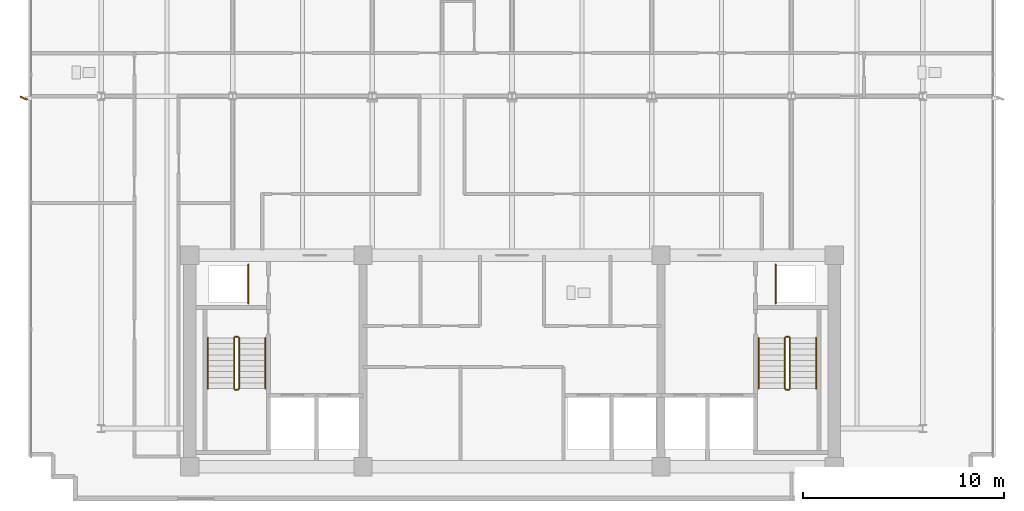
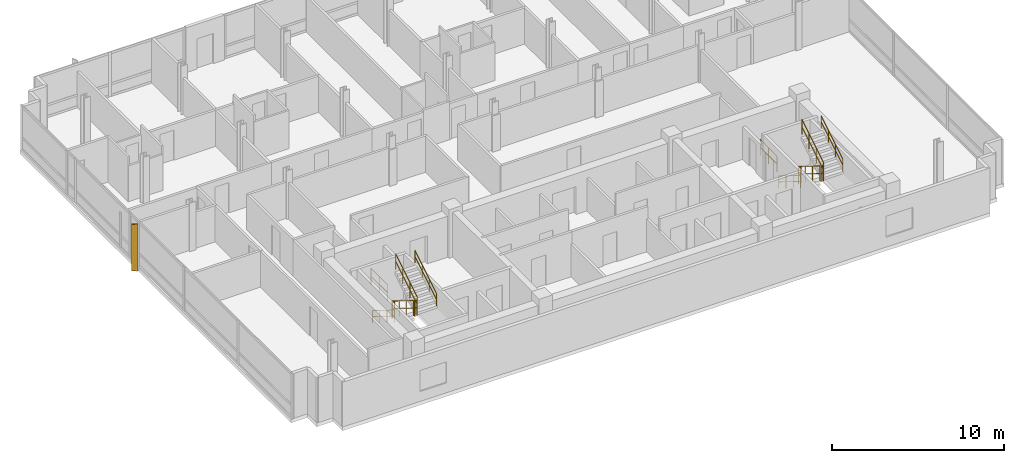
# One storey, part 13 of 15: 14 railings, 1 shading device.
"""IFC4 building model written with IfcOpenShell, lengths in metres."""

from ifc_helpers import new_model, si_unit, direction, frame, origin, origin_2d, place, context, subcontext, project, spatial, rectangle, circle, extrude, material, layer, layer_set, type_object, element, save


model = new_model("IFC4")

# Units and contexts
model_context = context("Model", 3, precision=1e-05, world=origin(), true_north=direction((0.0, 1.0)))
body_context = subcontext(model_context, "Body", "Model", "MODEL_VIEW")
ifc_project = project(units=[si_unit("LENGTHUNIT", "METRE"), si_unit("AREAUNIT", "SQUARE_METRE"), si_unit("VOLUMEUNIT", "CUBIC_METRE"), si_unit("PLANEANGLEUNIT", "RADIAN"), si_unit("MASSUNIT", "GRAM", prefix="KILO")], contexts=[model_context])

# Site, building, storey
site_placement = place(None, origin())
site = spatial("IfcSite", under=ifc_project, at=site_placement, CompositionType="ELEMENT")
building_placement = place(site_placement, origin())
building = spatial("IfcBuilding", under=site, at=building_placement, Name="Solmavex Isthmus Hotel", CompositionType="ELEMENT")
storey_placement = place(building_placement, frame((0.0, 0.0, 259.199951171875)))
storey = spatial("IfcBuildingStorey", under=building, at=storey_placement, Name="L70", CompositionType="ELEMENT", Elevation=259.199951171875)

# Railings
ifc_material_1 = material(Name="Clear low-E laminated glass", Category="glass")
ifc_layer_1 = layer(ifc_material_1, 0.080078125)
ifc_layer_set_1 = layer_set([ifc_layer_1], Name="Clear low-E laminated glass")
railing_type_1 = type_object("IfcRailingType", Name="RAIL-ATRIUM-1120", PredefinedType="BALUSTRADE", material=ifc_layer_set_1)
for number, where, name in (
    (1, (-13.10009765625, -4.89990234375, 0.0), "Guardrail Balustrade L70-RSW-01"),
    (2, (13.10009765625, -4.89990234375, 0.0), "Guardrail Balustrade L70-RSE-01"),
):
    element("IfcRailing", number, at=place(storey_placement, frame(where)), inside=storey, type_object=railing_type_1, Name=name, PredefinedType="BALUSTRADE", context=body_context, shape_type="SweptSolid", body=[
        extrude(circle(Radius=0.02392578125, at=origin_2d()), frame((0.0, 0.0, 1.1259765625), z_axis=(0.0, 1.0, 0.0), x_axis=(-1.0, 0.0, 0.0)), (0.0, 0.0, 1.0), 1.949951171875),
        extrude(circle(Radius=0.02392578125, at=origin_2d()), frame((0.0, 0.0, 0.574951171875), z_axis=(0.0, 1.0, 0.0), x_axis=(-1.0, 0.0, 0.0)), (0.0, 0.0, 1.0), 1.949951171875),
        extrude(circle(Radius=0.02099609375, at=origin_2d()), origin(), (0.0, 0.0, 1.0), 1.101806640625),
        extrude(circle(Radius=0.02099609375, at=origin_2d()), frame((0.0, 0.97509765625, 0.0)), (0.0, 0.0, 1.0), 1.101806640625),
        extrude(circle(Radius=0.02099609375, at=origin_2d()), frame((0.0, 1.949951171875, 0.0)), (0.0, 0.0, 1.0), 1.101806640625),
    ])
ifc_material_2 = material(Name="Stainless steel 316", Category="steel")
ifc_layer_2 = layer(ifc_material_2, 0.06005859375)
ifc_layer_set_2 = layer_set([ifc_layer_2], Name="Stainless steel 316")
railing_type_2 = type_object("IfcRailingType", Name="RAIL-STAIR-GD", PredefinedType="GUARDRAIL", material=ifc_layer_set_2)
railing_1_placement = place(storey_placement, frame((-13.800048828125, -6.60009765625, 0.172607421875)))
element("IfcRailing", 3, at=railing_1_placement, inside=storey, type_object=railing_type_2, Name="L70 ST-1 stair guard 1", PredefinedType="GUARDRAIL", context=body_context, shape_type="SweptSolid", body=[
    extrude(circle(Radius=0.02392578125, at=origin_2d()), frame((0.0, 0.0, 1.09619140625), z_axis=(0.0, -0.851400495292, 0.524516154772), x_axis=(1.0, 0.0, 0.0)), (0.0, 0.0, 1.0), 2.9599609375),
    extrude(circle(Radius=0.02392578125, at=origin_2d()), frame((0.0, 0.0, 0.56005859375), z_axis=(0.0, -0.851400495292, 0.524516154772), x_axis=(1.0, 0.0, 0.0)), (0.0, 0.0, 1.0), 2.9599609375),
    extrude(circle(Radius=0.02099609375, at=origin_2d()), origin(), (0.0, 0.0, 1.0), 1.072021484375),
    extrude(circle(Radius=0.02099609375, at=origin_2d()), frame((0.0, -0.840087890625, 0.517578125)), (0.0, 0.0, 1.0), 1.072021484375),
    extrude(circle(Radius=0.02099609375, at=origin_2d()), frame((0.0, -1.679931640625, 1.034912109375)), (0.0, 0.0, 1.0), 1.072021484375),
    extrude(circle(Radius=0.02099609375, at=origin_2d()), frame((0.0, -2.52001953125, 1.552490234375)), (0.0, 0.0, 1.0), 1.072021484375),
])
railing_2_placement = place(storey_placement, frame((-13.75, -9.169921875, 1.72509765625)))
element("IfcRailing", 4, at=railing_2_placement, inside=storey, type_object=railing_type_2, Name="L70 ST-1 stair guard 2", PredefinedType="GUARDRAIL", context=body_context, shape_type="SweptSolid", body=[
    extrude(circle(Radius=0.02392578125, at=origin_2d()), frame((0.0, 0.0, 1.09619140625), z_axis=(1.0, 0.0, 0.0), x_axis=(0.0, 1.0, 0.0)), (0.0, 0.0, 1.0), 0.14990234375),
    extrude(circle(Radius=0.02392578125, at=origin_2d()), frame((0.0, 0.0, 0.56005859375), z_axis=(1.0, 0.0, 0.0), x_axis=(0.0, 1.0, 0.0)), (0.0, 0.0, 1.0), 0.14990234375),
    extrude(circle(Radius=0.02099609375, at=origin_2d()), origin(), (0.0, 0.0, 1.0), 1.072021484375),
    extrude(circle(Radius=0.02099609375, at=origin_2d()), frame((0.14990234375, 0.0, 0.0)), (0.0, 0.0, 1.0), 1.072021484375),
])
railing_3_placement = place(storey_placement, frame((-13.550048828125, -9.1201171875, 1.8974609375)))
element("IfcRailing", 5, at=railing_3_placement, inside=storey, type_object=railing_type_2, Name="L70 ST-1 stair guard 3", PredefinedType="GUARDRAIL", context=body_context, shape_type="SweptSolid", body=[
    extrude(circle(Radius=0.02392578125, at=origin_2d()), frame((0.0, 0.0, 1.09619140625), z_axis=(0.0, 0.851400495292, 0.524516154772), x_axis=(-1.0, 0.0, 0.0)), (0.0, 0.0, 1.0), 2.9599609375),
    extrude(circle(Radius=0.02392578125, at=origin_2d()), frame((0.0, 0.0, 0.56005859375), z_axis=(0.0, 0.851400495292, 0.524516154772), x_axis=(-1.0, 0.0, 0.0)), (0.0, 0.0, 1.0), 2.9599609375),
    extrude(circle(Radius=0.02099609375, at=origin_2d()), origin(), (0.0, 0.0, 1.0), 1.072021484375),
    extrude(circle(Radius=0.02099609375, at=origin_2d()), frame((0.0, 0.840087890625, 0.517578125)), (0.0, 0.0, 1.0), 1.072021484375),
    extrude(circle(Radius=0.02099609375, at=origin_2d()), frame((0.0, 1.679931640625, 1.034912109375)), (0.0, 0.0, 1.0), 1.072021484375),
    extrude(circle(Radius=0.02099609375, at=origin_2d()), frame((0.0, 2.52001953125, 1.552490234375)), (0.0, 0.0, 1.0), 1.072021484375),
])
railing_4_placement = place(storey_placement, frame((-13.75, -6.550048828125, 0.0)))
element("IfcRailing", 6, at=railing_4_placement, inside=storey, type_object=railing_type_2, Name="L70 ST-1 stair guard 4", PredefinedType="GUARDRAIL", context=body_context, shape_type="SweptSolid", body=[
    extrude(circle(Radius=0.02392578125, at=origin_2d()), frame((0.0, 0.0, 1.09619140625), z_axis=(1.0, 0.0, 0.0), x_axis=(0.0, 1.0, 0.0)), (0.0, 0.0, 1.0), 0.14990234375),
    extrude(circle(Radius=0.02392578125, at=origin_2d()), frame((0.0, 0.0, 0.56005859375), z_axis=(1.0, 0.0, 0.0), x_axis=(0.0, 1.0, 0.0)), (0.0, 0.0, 1.0), 0.14990234375),
    extrude(circle(Radius=0.02099609375, at=origin_2d()), origin(), (0.0, 0.0, 1.0), 1.072021484375),
    extrude(circle(Radius=0.02099609375, at=origin_2d()), frame((0.14990234375, 0.0, 0.0)), (0.0, 0.0, 1.0), 1.072021484375),
])
railing_5_placement = place(storey_placement, frame((13.550048828125, -6.60009765625, 0.172607421875)))
element("IfcRailing", 7, at=railing_5_placement, inside=storey, type_object=railing_type_2, Name="L70 ST-2 stair guard 1", PredefinedType="GUARDRAIL", context=body_context, shape_type="SweptSolid", body=[
    extrude(circle(Radius=0.02392578125, at=origin_2d()), frame((0.0, 0.0, 1.09619140625), z_axis=(0.0, -0.851400495292, 0.524516154772), x_axis=(1.0, 0.0, 0.0)), (0.0, 0.0, 1.0), 2.9599609375),
    extrude(circle(Radius=0.02392578125, at=origin_2d()), frame((0.0, 0.0, 0.56005859375), z_axis=(0.0, -0.851400495292, 0.524516154772), x_axis=(1.0, 0.0, 0.0)), (0.0, 0.0, 1.0), 2.9599609375),
    extrude(circle(Radius=0.02099609375, at=origin_2d()), origin(), (0.0, 0.0, 1.0), 1.072021484375),
    extrude(circle(Radius=0.02099609375, at=origin_2d()), frame((0.0, -0.840087890625, 0.517578125)), (0.0, 0.0, 1.0), 1.072021484375),
    extrude(circle(Radius=0.02099609375, at=origin_2d()), frame((0.0, -1.679931640625, 1.034912109375)), (0.0, 0.0, 1.0), 1.072021484375),
    extrude(circle(Radius=0.02099609375, at=origin_2d()), frame((0.0, -2.52001953125, 1.552490234375)), (0.0, 0.0, 1.0), 1.072021484375),
])
railing_6_placement = place(storey_placement, frame((13.60009765625, -9.169921875, 1.72509765625)))
element("IfcRailing", 8, at=railing_6_placement, inside=storey, type_object=railing_type_2, Name="L70 ST-2 stair guard 2", PredefinedType="GUARDRAIL", context=body_context, shape_type="SweptSolid", body=[
    extrude(circle(Radius=0.02392578125, at=origin_2d()), frame((0.0, 0.0, 1.09619140625), z_axis=(1.0, 0.0, 0.0), x_axis=(0.0, 1.0, 0.0)), (0.0, 0.0, 1.0), 0.14990234375),
    extrude(circle(Radius=0.02392578125, at=origin_2d()), frame((0.0, 0.0, 0.56005859375), z_axis=(1.0, 0.0, 0.0), x_axis=(0.0, 1.0, 0.0)), (0.0, 0.0, 1.0), 0.14990234375),
    extrude(circle(Radius=0.02099609375, at=origin_2d()), origin(), (0.0, 0.0, 1.0), 1.072021484375),
    extrude(circle(Radius=0.02099609375, at=origin_2d()), frame((0.14990234375, 0.0, 0.0)), (0.0, 0.0, 1.0), 1.072021484375),
])
railing_7_placement = place(storey_placement, frame((13.800048828125, -9.1201171875, 1.8974609375)))
element("IfcRailing", 9, at=railing_7_placement, inside=storey, type_object=railing_type_2, Name="L70 ST-2 stair guard 3", PredefinedType="GUARDRAIL", context=body_context, shape_type="SweptSolid", body=[
    extrude(circle(Radius=0.02392578125, at=origin_2d()), frame((0.0, 0.0, 1.09619140625), z_axis=(0.0, 0.851400495292, 0.524516154772), x_axis=(-1.0, 0.0, 0.0)), (0.0, 0.0, 1.0), 2.9599609375),
    extrude(circle(Radius=0.02392578125, at=origin_2d()), frame((0.0, 0.0, 0.56005859375), z_axis=(0.0, 0.851400495292, 0.524516154772), x_axis=(-1.0, 0.0, 0.0)), (0.0, 0.0, 1.0), 2.9599609375),
    extrude(circle(Radius=0.02099609375, at=origin_2d()), origin(), (0.0, 0.0, 1.0), 1.072021484375),
    extrude(circle(Radius=0.02099609375, at=origin_2d()), frame((0.0, 0.840087890625, 0.517578125)), (0.0, 0.0, 1.0), 1.072021484375),
    extrude(circle(Radius=0.02099609375, at=origin_2d()), frame((0.0, 1.679931640625, 1.034912109375)), (0.0, 0.0, 1.0), 1.072021484375),
    extrude(circle(Radius=0.02099609375, at=origin_2d()), frame((0.0, 2.52001953125, 1.552490234375)), (0.0, 0.0, 1.0), 1.072021484375),
])
railing_8_placement = place(storey_placement, frame((13.60009765625, -6.550048828125, 0.0)))
element("IfcRailing", 10, at=railing_8_placement, inside=storey, type_object=railing_type_2, Name="L70 ST-2 stair guard 4", PredefinedType="GUARDRAIL", context=body_context, shape_type="SweptSolid", body=[
    extrude(circle(Radius=0.02392578125, at=origin_2d()), frame((0.0, 0.0, 1.09619140625), z_axis=(1.0, 0.0, 0.0), x_axis=(0.0, 1.0, 0.0)), (0.0, 0.0, 1.0), 0.14990234375),
    extrude(circle(Radius=0.02392578125, at=origin_2d()), frame((0.0, 0.0, 0.56005859375), z_axis=(1.0, 0.0, 0.0), x_axis=(0.0, 1.0, 0.0)), (0.0, 0.0, 1.0), 0.14990234375),
    extrude(circle(Radius=0.02099609375, at=origin_2d()), origin(), (0.0, 0.0, 1.0), 1.072021484375),
    extrude(circle(Radius=0.02099609375, at=origin_2d()), frame((0.14990234375, 0.0, 0.0)), (0.0, 0.0, 1.0), 1.072021484375),
])
ifc_layer_3 = layer(ifc_material_2, 0.050048828125)
ifc_layer_set_3 = layer_set([ifc_layer_3], Name="Stainless steel 316")
railing_type_3 = type_object("IfcRailingType", Name="RAIL-STAIR-HR", PredefinedType="HANDRAIL", material=ifc_layer_set_3)
railing_9_placement = place(storey_placement, frame((-15.10009765625, -6.60009765625, 0.172607421875)))
element("IfcRailing", 11, at=railing_9_placement, inside=storey, type_object=railing_type_3, Name="L70 ST-1 stair handrail 1", PredefinedType="HANDRAIL", context=body_context, shape_type="SweptSolid", body=[
    extrude(circle(Radius=0.02392578125, at=origin_2d()), frame((0.0, 0.0, 0.8759765625), z_axis=(0.0, -0.851400495292, 0.524516154772), x_axis=(1.0, 0.0, 0.0)), (0.0, 0.0, 1.0), 2.9599609375),
    extrude(circle(Radius=0.02392578125, at=origin_2d()), frame((0.0, 0.0, 0.449951171875), z_axis=(0.0, -0.851400495292, 0.524516154772), x_axis=(1.0, 0.0, 0.0)), (0.0, 0.0, 1.0), 2.9599609375),
    extrude(circle(Radius=0.02099609375, at=origin_2d()), origin(), (0.0, 0.0, 1.0), 0.851806640625),
    extrude(circle(Radius=0.02099609375, at=origin_2d()), frame((0.0, -0.840087890625, 0.517578125)), (0.0, 0.0, 1.0), 0.851806640625),
    extrude(circle(Radius=0.02099609375, at=origin_2d()), frame((0.0, -1.679931640625, 1.034912109375)), (0.0, 0.0, 1.0), 0.851806640625),
    extrude(circle(Radius=0.02099609375, at=origin_2d()), frame((0.0, -2.52001953125, 1.552490234375)), (0.0, 0.0, 1.0), 0.851806640625),
])
railing_10_placement = place(storey_placement, frame((-12.25, -9.1201171875, 1.8974609375)))
element("IfcRailing", 12, at=railing_10_placement, inside=storey, type_object=railing_type_3, Name="L70 ST-1 stair handrail 2", PredefinedType="HANDRAIL", context=body_context, shape_type="SweptSolid", body=[
    extrude(circle(Radius=0.02392578125, at=origin_2d()), frame((0.0, 0.0, 0.8759765625), z_axis=(0.0, 0.851400495292, 0.524516154772), x_axis=(-1.0, 0.0, 0.0)), (0.0, 0.0, 1.0), 2.9599609375),
    extrude(circle(Radius=0.02392578125, at=origin_2d()), frame((0.0, 0.0, 0.449951171875), z_axis=(0.0, 0.851400495292, 0.524516154772), x_axis=(-1.0, 0.0, 0.0)), (0.0, 0.0, 1.0), 2.9599609375),
    extrude(circle(Radius=0.02099609375, at=origin_2d()), origin(), (0.0, 0.0, 1.0), 0.851806640625),
    extrude(circle(Radius=0.02099609375, at=origin_2d()), frame((0.0, 0.840087890625, 0.517578125)), (0.0, 0.0, 1.0), 0.851806640625),
    extrude(circle(Radius=0.02099609375, at=origin_2d()), frame((0.0, 1.679931640625, 1.034912109375)), (0.0, 0.0, 1.0), 0.851806640625),
    extrude(circle(Radius=0.02099609375, at=origin_2d()), frame((0.0, 2.52001953125, 1.552490234375)), (0.0, 0.0, 1.0), 0.851806640625),
])
railing_11_placement = place(storey_placement, frame((12.25, -6.60009765625, 0.172607421875)))
element("IfcRailing", 13, at=railing_11_placement, inside=storey, type_object=railing_type_3, Name="L70 ST-2 stair handrail 1", PredefinedType="HANDRAIL", context=body_context, shape_type="SweptSolid", body=[
    extrude(circle(Radius=0.02392578125, at=origin_2d()), frame((0.0, 0.0, 0.8759765625), z_axis=(0.0, -0.851400495292, 0.524516154772), x_axis=(1.0, 0.0, 0.0)), (0.0, 0.0, 1.0), 2.9599609375),
    extrude(circle(Radius=0.02392578125, at=origin_2d()), frame((0.0, 0.0, 0.449951171875), z_axis=(0.0, -0.851400495292, 0.524516154772), x_axis=(1.0, 0.0, 0.0)), (0.0, 0.0, 1.0), 2.9599609375),
    extrude(circle(Radius=0.02099609375, at=origin_2d()), origin(), (0.0, 0.0, 1.0), 0.851806640625),
    extrude(circle(Radius=0.02099609375, at=origin_2d()), frame((0.0, -0.840087890625, 0.517578125)), (0.0, 0.0, 1.0), 0.851806640625),
    extrude(circle(Radius=0.02099609375, at=origin_2d()), frame((0.0, -1.679931640625, 1.034912109375)), (0.0, 0.0, 1.0), 0.851806640625),
    extrude(circle(Radius=0.02099609375, at=origin_2d()), frame((0.0, -2.52001953125, 1.552490234375)), (0.0, 0.0, 1.0), 0.851806640625),
])
railing_12_placement = place(storey_placement, frame((15.10009765625, -9.1201171875, 1.8974609375)))
element("IfcRailing", 14, at=railing_12_placement, inside=storey, type_object=railing_type_3, Name="L70 ST-2 stair handrail 2", PredefinedType="HANDRAIL", context=body_context, shape_type="SweptSolid", body=[
    extrude(circle(Radius=0.02392578125, at=origin_2d()), frame((0.0, 0.0, 0.8759765625), z_axis=(0.0, 0.851400495292, 0.524516154772), x_axis=(-1.0, 0.0, 0.0)), (0.0, 0.0, 1.0), 2.9599609375),
    extrude(circle(Radius=0.02392578125, at=origin_2d()), frame((0.0, 0.0, 0.449951171875), z_axis=(0.0, 0.851400495292, 0.524516154772), x_axis=(-1.0, 0.0, 0.0)), (0.0, 0.0, 1.0), 2.9599609375),
    extrude(circle(Radius=0.02099609375, at=origin_2d()), origin(), (0.0, 0.0, 1.0), 0.851806640625),
    extrude(circle(Radius=0.02099609375, at=origin_2d()), frame((0.0, 0.840087890625, 0.517578125)), (0.0, 0.0, 1.0), 0.851806640625),
    extrude(circle(Radius=0.02099609375, at=origin_2d()), frame((0.0, 1.679931640625, 1.034912109375)), (0.0, 0.0, 1.0), 0.851806640625),
    extrude(circle(Radius=0.02099609375, at=origin_2d()), frame((0.0, 2.52001953125, 1.552490234375)), (0.0, 0.0, 1.0), 0.851806640625),
])

# Shading device
ifc_material_3 = material(Name="Aluminium alloy 6063-T6", Category="aluminium")
shading_device_type = type_object("IfcShadingDeviceType", Name="SHD-FIN-CHAMP", PredefinedType="USERDEFINED", material=ifc_material_3)
shading_device_placement = place(storey_placement, frame((-24.239990234375, 5.300048828125, -0.139892578125), z_axis=(0.0, 0.0, 1.0), x_axis=(-0.913545457643, 0.406736643076, 0.0)))
element("IfcShadingDevice", 15, at=shading_device_placement, inside=storey, type_object=shading_device_type, Name="Anodised Aluminium Solar Fin L70-W1", ObjectType="SOLAR_FIN", PredefinedType="USERDEFINED", context=body_context, shape_type="SweptSolid", body=[
    extrude(rectangle(XDim=0.3798828125, YDim=0.070068359375, at=origin_2d()), origin(), (0.0, 0.0, 1.0), 3.330078125),
])

save(model, "model.ifc")
